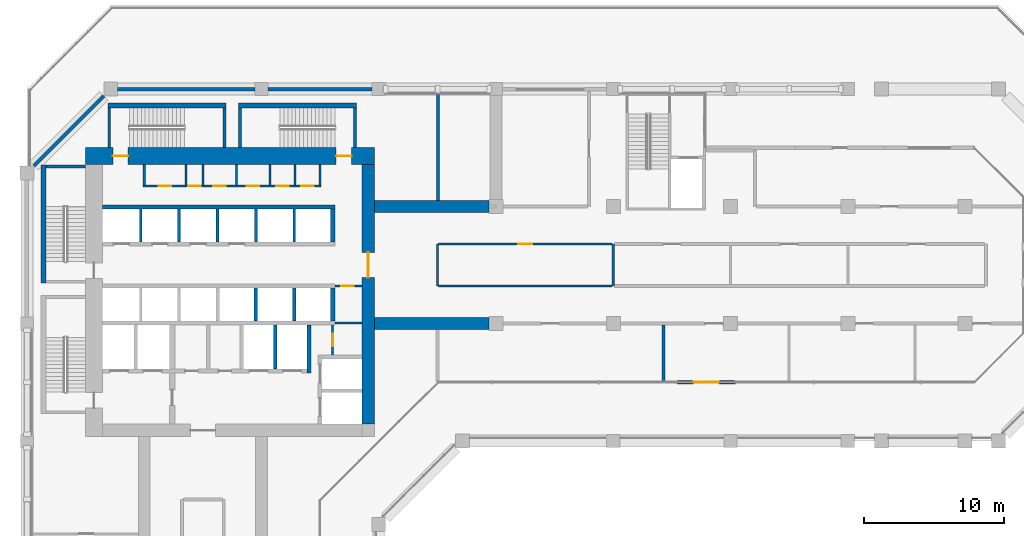
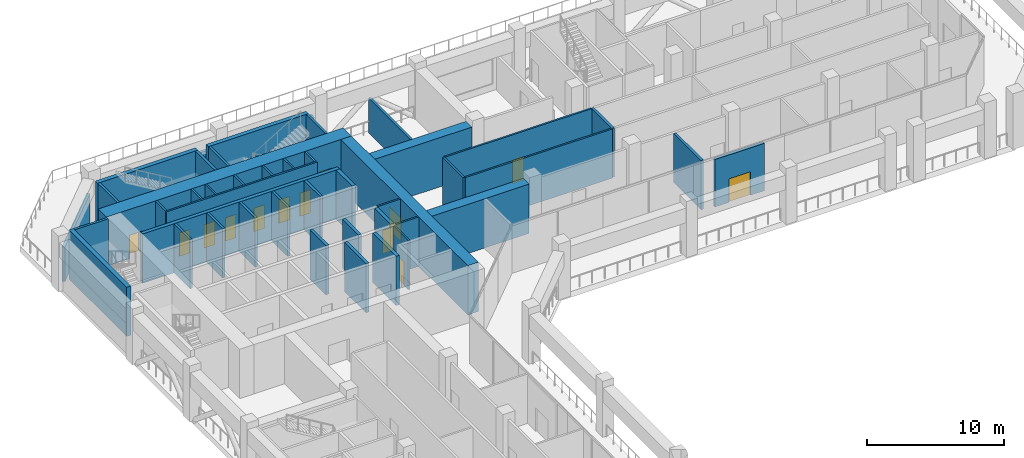
# One storey, part 8 of 19: 45 walls, 13 doors, 13 openings.
"""IFC4 building model written with IfcOpenShell, lengths in metres."""

from ifc_helpers import new_model, si_unit, direction, frame, frame_2d, origin, place, context, subcontext, project, spatial, rectangle, extrude, material, layer, layer_set, type_object, element, fill, save


model = new_model("IFC4")

# Units and contexts
model_context = context("Model", 3, precision=1e-05, world=origin(), true_north=direction((0.0, 1.0)))
body_context = subcontext(model_context, "Body", "Model", "MODEL_VIEW")
ifc_project = project(units=[si_unit("LENGTHUNIT", "METRE"), si_unit("AREAUNIT", "SQUARE_METRE"), si_unit("VOLUMEUNIT", "CUBIC_METRE"), si_unit("PLANEANGLEUNIT", "RADIAN"), si_unit("MASSUNIT", "GRAM", prefix="KILO")], contexts=[model_context])

# Site, building, storey
site_placement = place(None, origin())
site = spatial("IfcSite", under=ifc_project, at=site_placement, CompositionType="ELEMENT")
building_placement = place(site_placement, origin())
building = spatial("IfcBuilding", under=site, at=building_placement, Name="Kawkab Arch Medical Tower", CompositionType="ELEMENT")
storey_placement = place(building_placement, frame((0.0, 0.0, 153.39990234375)))
storey = spatial("IfcBuildingStorey", under=building, at=storey_placement, Name="L35", CompositionType="ELEMENT", Elevation=153.39990234375)

# Walls
ifc_material_1 = material(Name="Concrete C50/60", Category="concrete")
ifc_layer_1 = layer(ifc_material_1, 0.85009765625)
ifc_layer_set_1 = layer_set([ifc_layer_1], Name="Concrete C50/60")
wall_type_1 = type_object("IfcWallType", Name="Belt wall 850 C50/60", PredefinedType="SHEAR", material=ifc_layer_set_1)
for number, where, z_axis, x_axis, name in (
    (1, (24.89990234375, -8.39990234375, 0.0), (0.0, 0.0, 1.0), (1.0, 0.0, 0.0), "Belt wall BW-L35-1"),
    (2, (24.89990234375, -16.800048828125, 0.0), (0.0, 0.0, 1.0), (1.0, 0.0, 0.0), "Belt wall BW-L35-2"),
):
    element("IfcWall", number, at=place(storey_placement, frame(where, z_axis=z_axis, x_axis=x_axis)), inside=storey, type_object=wall_type_1, Name=name, PredefinedType="SHEAR", context=body_context, shape_type="SweptSolid", body=[
        extrude(rectangle(XDim=8.2001953125, YDim=0.85009765625, at=frame_2d((4.10009765625, 0.0))), origin(), (0.0, 0.0, 1.0), 4.400146484375),
    ])

# Wall, openings, doors
ifc_material_2 = material(Name="Concrete C55/67", Category="concrete")
ifc_layer_2 = layer(ifc_material_2, 1.199951171875)
ifc_layer_set_2 = layer_set([ifc_layer_2], Name="Concrete C55/67")
wall_type_2 = type_object("IfcWallType", Name="Core ring wall 1200 C55/67", PredefinedType="SHEAR", material=ifc_layer_set_2)
wall_1_placement = place(storey_placement, frame((4.199951171875, -4.800048828125, 0.0), z_axis=(0.0, 0.0, 1.0), x_axis=(1.0, 0.0, 0.0)))
wall_1 = element("IfcWall", 3, at=wall_1_placement, inside=storey, type_object=wall_type_2, Name="L35 core wall", PredefinedType="SHEAR", context=body_context, shape_type="SweptSolid", body=[
    extrude(rectangle(XDim=20.699951171875, YDim=1.199951171875, at=frame_2d((10.35009765625, 0.0))), origin(), (0.0, 0.0, 1.0), 4.400146484375),
])
opening_1_placement = place(wall_1_placement, frame((1.949951171875, 0.0, 0.0)))
opening_1 = element("IfcOpeningElement", 4, at=opening_1_placement, cuts=wall_1, Name="Opening SD", PredefinedType="OPENING", context=body_context, shape_type="SweptSolid", body=[
    extrude(rectangle(XDim=1.10009765625, YDim=2.10009765625, at=frame_2d((0.550048828125, 1.050048828125))), frame((0.0, 0.60986328125, 0.0), z_axis=(0.0, -1.0, 0.0), x_axis=(1.0, 0.0, 0.0)), (0.0, 0.0, 1.0), 1.219970703125),
])
opening_2_placement = place(wall_1_placement, frame((17.949951171875, 0.0, 0.0)))
opening_2 = element("IfcOpeningElement", 5, at=opening_2_placement, cuts=wall_1, Name="Opening SD", PredefinedType="OPENING", context=body_context, shape_type="SweptSolid", body=[
    extrude(rectangle(XDim=1.10009765625, YDim=2.10009765625, at=frame_2d((0.550048828125, 1.050048828125))), frame((0.0, 0.60986328125, 0.0), z_axis=(0.0, -1.0, 0.0), x_axis=(1.0, 0.0, 0.0)), (0.0, 0.0, 1.0), 1.219970703125),
])
ifc_material_3 = material(Name="Hollow metal fire door leaf")
door_type_1 = type_object("IfcDoorType", Name="Exit stair door 1100", OperationType="SINGLE_SWING_LEFT", PredefinedType="DOOR", material=ifc_material_3)
door_1_placement = place(opening_1_placement, origin())
door_1 = element("IfcDoor", 6, at=door_1_placement, inside=storey, type_object=door_type_1, Name="L35 Exit stair ST3 door", OperationType="SINGLE_SWING_LEFT", OverallHeight=2.10009765625, OverallWidth=1.10009765625, PredefinedType="DOOR", context=body_context, shape_type="SweptSolid", body=[
    extrude(rectangle(XDim=1.10009765625, YDim=2.10009765625, at=frame_2d((0.550048828125, 1.050048828125))), frame((0.0, 0.02490234375, 0.0), z_axis=(0.0, -1.0, 0.0), x_axis=(1.0, 0.0, 0.0)), (0.0, 0.0, 1.0), 0.050048828125),
])
fill(opening_1, door_1)
door_2_placement = place(opening_2_placement, origin())
door_2 = element("IfcDoor", 7, at=door_2_placement, inside=storey, type_object=door_type_1, Name="L35 Exit stair ST4 door", OperationType="SINGLE_SWING_LEFT", OverallHeight=2.10009765625, OverallWidth=1.10009765625, PredefinedType="DOOR", context=body_context, shape_type="SweptSolid", body=[
    extrude(rectangle(XDim=1.10009765625, YDim=2.10009765625, at=frame_2d((0.550048828125, 1.050048828125))), frame((0.0, 0.02490234375, 0.0), z_axis=(0.0, -1.0, 0.0), x_axis=(1.0, 0.0, 0.0)), (0.0, 0.0, 1.0), 0.050048828125),
])
fill(opening_2, door_2)

# Wall, opening, door
ifc_material_4 = material(Name="Concrete C55/67", Category="concrete")
ifc_layer_3 = layer(ifc_material_4, 0.89990234375)
ifc_layer_set_3 = layer_set([ifc_layer_3], Name="Concrete C55/67")
wall_type_3 = type_object("IfcWallType", Name="Core ring wall 900 C55/67", PredefinedType="SHEAR", material=ifc_layer_set_3)
wall_2_placement = place(storey_placement, frame((24.449951171875, -24.0, 0.0), z_axis=(0.0, 0.0, 1.0), x_axis=(0.0, 1.0, 0.0)))
wall_2 = element("IfcWall", 8, at=wall_2_placement, inside=storey, type_object=wall_type_3, Name="L35 core wall", PredefinedType="SHEAR", context=body_context, shape_type="SweptSolid", body=[
    extrude(rectangle(XDim=18.60009765625, YDim=0.89990234375, at=frame_2d((9.300048828125, 0.0))), origin(), (0.0, 0.0, 1.0), 4.400146484375),
])
opening_3_placement = place(wall_2_placement, frame((10.5, 0.0, 0.0)))
opening_3 = element("IfcOpeningElement", 9, at=opening_3_placement, cuts=wall_2, Name="Opening PD", PredefinedType="OPENING", context=body_context, shape_type="SweptSolid", body=[
    extrude(rectangle(XDim=1.800048828125, YDim=2.10009765625, at=frame_2d((0.89990234375, 1.050048828125))), frame((0.0, 0.4599609375, 0.0), z_axis=(0.0, -1.0, 0.0), x_axis=(1.0, 0.0, 0.0)), (0.0, 0.0, 1.0), 0.919921875),
])
ifc_material_5 = material(Name="Hollow metal fire door leaf")
door_type_2 = type_object("IfcDoorType", Name="Core entrance doors 1800", OperationType="DOUBLE_DOOR_SINGLE_SWING", PredefinedType="DOOR", material=ifc_material_5)
door_3_placement = place(opening_3_placement, origin())
door_3 = element("IfcDoor", 10, at=door_3_placement, inside=storey, type_object=door_type_2, Name="L35 East entrance doors", OperationType="DOUBLE_DOOR_SINGLE_SWING", OverallHeight=2.10009765625, OverallWidth=1.800048828125, PredefinedType="DOOR", context=body_context, shape_type="SweptSolid", body=[
    extrude(rectangle(XDim=1.800048828125, YDim=2.10009765625, at=frame_2d((0.89990234375, 1.050048828125))), frame((0.0, 0.02490234375, 0.0), z_axis=(0.0, -1.0, 0.0), x_axis=(1.0, 0.0, 0.0)), (0.0, 0.0, 1.0), 0.050048828125),
])
fill(opening_3, door_3)

ifc_material_6 = material(Name="Gypsum board on steel studs", Category="steel")
ifc_layer_4 = layer(ifc_material_6, 0.14990234375)
ifc_layer_set_4 = layer_set([ifc_layer_4], Name="Gypsum board on steel studs")
wall_type_4 = type_object("IfcWallType", Name="Core room partition 150", PredefinedType="PARTITIONING", material=ifc_layer_set_4)
wall_3_placement = place(storey_placement, frame((21.89990234375, -19.050048828125, 0.0), z_axis=(0.0, 0.0, 1.0), x_axis=(0.0, 1.0, 0.0)))
wall_3 = element("IfcWall", 11, at=wall_3_placement, inside=storey, type_object=wall_type_4, Name="L35 core room partition", PredefinedType="PARTITIONING", context=body_context, shape_type="SweptSolid", body=[
    extrude(rectangle(XDim=2.150146484375, YDim=0.14990234375, at=frame_2d((1.0751953125, 0.0))), origin(), (0.0, 0.0, 1.0), 4.400146484375),
])
opening_4_placement = place(wall_3_placement, frame((0.625, 0.0, 0.0)))
opening_4 = element("IfcOpeningElement", 12, at=opening_4_placement, cuts=wall_3, Name="Opening RD", PredefinedType="OPENING", context=body_context, shape_type="SweptSolid", body=[
    extrude(rectangle(XDim=0.89990234375, YDim=2.10009765625, at=frame_2d((0.449951171875, 1.050048828125))), frame((0.0, 0.0849609375, 0.0), z_axis=(0.0, -1.0, 0.0), x_axis=(1.0, 0.0, 0.0)), (0.0, 0.0, 1.0), 0.169921875),
])
ifc_material_7 = material(Name="Hollow metal fire door leaf")
door_type_3 = type_object("IfcDoorType", Name="Core room door 900", OperationType="SINGLE_SWING_LEFT", PredefinedType="DOOR", material=ifc_material_7)
door_4_placement = place(opening_4_placement, origin())
door_4 = element("IfcDoor", 13, at=door_4_placement, inside=storey, type_object=door_type_3, Name="L35 Accessible WC door", OperationType="SINGLE_SWING_LEFT", OverallHeight=2.10009765625, OverallWidth=0.89990234375, PredefinedType="DOOR", context=body_context, shape_type="SweptSolid", body=[
    extrude(rectangle(XDim=0.89990234375, YDim=2.10009765625, at=frame_2d((0.449951171875, 1.050048828125))), frame((0.0, 0.02490234375, 0.0), z_axis=(0.0, -1.0, 0.0), x_axis=(1.0, 0.0, 0.0)), (0.0, 0.0, 1.0), 0.050048828125),
])
fill(opening_4, door_4)

# Wall
wall_4_placement = place(storey_placement, frame((22.050048828125, -16.75, 0.0), z_axis=(0.0, 0.0, 1.0), x_axis=(1.0, 0.0, 0.0)))
element("IfcWall", 14, at=wall_4_placement, inside=storey, type_object=wall_type_4, Name="L35 core room partition", PredefinedType="PARTITIONING", context=body_context, shape_type="SweptSolid", body=[
    extrude(rectangle(XDim=1.949951171875, YDim=0.14990234375, at=frame_2d((0.97509765625, 0.0))), origin(), (0.0, 0.0, 1.0), 4.400146484375),
])

# Wall, opening, door
wall_5_placement = place(storey_placement, frame((22.050048828125, -14.10009765625, 0.0), z_axis=(0.0, 0.0, 1.0), x_axis=(1.0, 0.0, 0.0)))
wall_5 = element("IfcWall", 15, at=wall_5_placement, inside=storey, type_object=wall_type_4, Name="L35 core room partition", PredefinedType="PARTITIONING", context=body_context, shape_type="SweptSolid", body=[
    extrude(rectangle(XDim=1.949951171875, YDim=0.14990234375, at=frame_2d((0.97509765625, 0.0))), origin(), (0.0, 0.0, 1.0), 4.400146484375),
])
opening_5_placement = place(wall_5_placement, frame((0.449951171875, 0.0, 0.0)))
opening_5 = element("IfcOpeningElement", 16, at=opening_5_placement, cuts=wall_5, Name="Opening RD", PredefinedType="OPENING", context=body_context, shape_type="SweptSolid", body=[
    extrude(rectangle(XDim=0.89990234375, YDim=2.10009765625, at=frame_2d((0.449951171875, 1.050048828125))), frame((0.0, 0.0849609375, 0.0), z_axis=(0.0, -1.0, 0.0), x_axis=(1.0, 0.0, 0.0)), (0.0, 0.0, 1.0), 0.169921875),
])
door_5_placement = place(opening_5_placement, origin())
door_5 = element("IfcDoor", 17, at=door_5_placement, inside=storey, type_object=door_type_3, Name="L35 Equipment store door", OperationType="SINGLE_SWING_LEFT", OverallHeight=2.10009765625, OverallWidth=0.89990234375, PredefinedType="DOOR", context=body_context, shape_type="SweptSolid", body=[
    extrude(rectangle(XDim=0.89990234375, YDim=2.10009765625, at=frame_2d((0.449951171875, 1.050048828125))), frame((0.0, 0.02490234375, 0.0), z_axis=(0.0, -1.0, 0.0), x_axis=(1.0, 0.0, 0.0)), (0.0, 0.0, 1.0), 0.050048828125),
])
fill(opening_5, door_5)

# Wall, openings, doors
wall_6_placement = place(storey_placement, frame((8.324951171875, -6.949951171875, 0.0), z_axis=(0.0, 0.0, 1.0), x_axis=(1.0, 0.0, 0.0)))
wall_6 = element("IfcWall", 18, at=wall_6_placement, inside=storey, type_object=wall_type_4, Name="L35 core room partition", PredefinedType="PARTITIONING", context=body_context, shape_type="SweptSolid", body=[
    extrude(rectangle(XDim=12.75, YDim=0.14990234375, at=frame_2d((6.375, 0.0))), origin(), (0.0, 0.0, 1.0), 4.400146484375),
])
opening_6_placement = place(wall_6_placement, frame((1.125, 0.0, 0.0)))
opening_6 = element("IfcOpeningElement", 19, at=opening_6_placement, cuts=wall_6, Name="Opening RD", PredefinedType="OPENING", context=body_context, shape_type="SweptSolid", body=[
    extrude(rectangle(XDim=0.89990234375, YDim=2.10009765625, at=frame_2d((0.449951171875, 1.050048828125))), frame((0.0, 0.0849609375, 0.0), z_axis=(0.0, -1.0, 0.0), x_axis=(1.0, 0.0, 0.0)), (0.0, 0.0, 1.0), 0.169921875),
])
opening_7_placement = place(wall_6_placement, frame((3.22509765625, 0.0, 0.0)))
opening_7 = element("IfcOpeningElement", 20, at=opening_7_placement, cuts=wall_6, Name="Opening RD", PredefinedType="OPENING", context=body_context, shape_type="SweptSolid", body=[
    extrude(rectangle(XDim=0.89990234375, YDim=2.10009765625, at=frame_2d((0.449951171875, 1.050048828125))), frame((0.0, 0.0849609375, 0.0), z_axis=(0.0, -1.0, 0.0), x_axis=(1.0, 0.0, 0.0)), (0.0, 0.0, 1.0), 0.169921875),
])
opening_8_placement = place(wall_6_placement, frame((5.02490234375, 0.0, 0.0)))
opening_8 = element("IfcOpeningElement", 21, at=opening_8_placement, cuts=wall_6, Name="Opening RD", PredefinedType="OPENING", context=body_context, shape_type="SweptSolid", body=[
    extrude(rectangle(XDim=0.89990234375, YDim=2.10009765625, at=frame_2d((0.449951171875, 1.050048828125))), frame((0.0, 0.0849609375, 0.0), z_axis=(0.0, -1.0, 0.0), x_axis=(1.0, 0.0, 0.0)), (0.0, 0.0, 1.0), 0.169921875),
])
opening_9_placement = place(wall_6_placement, frame((7.425048828125, 0.0, 0.0)))
opening_9 = element("IfcOpeningElement", 22, at=opening_9_placement, cuts=wall_6, Name="Opening RD", PredefinedType="OPENING", context=body_context, shape_type="SweptSolid", body=[
    extrude(rectangle(XDim=0.89990234375, YDim=2.10009765625, at=frame_2d((0.449951171875, 1.050048828125))), frame((0.0, 0.0849609375, 0.0), z_axis=(0.0, -1.0, 0.0), x_axis=(1.0, 0.0, 0.0)), (0.0, 0.0, 1.0), 0.169921875),
])
opening_10_placement = place(wall_6_placement, frame((9.52490234375, 0.0, 0.0)))
opening_10 = element("IfcOpeningElement", 23, at=opening_10_placement, cuts=wall_6, Name="Opening RD", PredefinedType="OPENING", context=body_context, shape_type="SweptSolid", body=[
    extrude(rectangle(XDim=0.89990234375, YDim=2.10009765625, at=frame_2d((0.449951171875, 1.050048828125))), frame((0.0, 0.0849609375, 0.0), z_axis=(0.0, -1.0, 0.0), x_axis=(1.0, 0.0, 0.0)), (0.0, 0.0, 1.0), 0.169921875),
])
opening_11_placement = place(wall_6_placement, frame((11.324951171875, 0.0, 0.0)))
opening_11 = element("IfcOpeningElement", 24, at=opening_11_placement, cuts=wall_6, Name="Opening RD", PredefinedType="OPENING", context=body_context, shape_type="SweptSolid", body=[
    extrude(rectangle(XDim=0.89990234375, YDim=2.10009765625, at=frame_2d((0.449951171875, 1.050048828125))), frame((0.0, 0.0849609375, 0.0), z_axis=(0.0, -1.0, 0.0), x_axis=(1.0, 0.0, 0.0)), (0.0, 0.0, 1.0), 0.169921875),
])
door_6_placement = place(opening_6_placement, origin())
door_6 = element("IfcDoor", 25, at=door_6_placement, inside=storey, type_object=door_type_3, Name="L35 General store door", OperationType="SINGLE_SWING_LEFT", OverallHeight=2.10009765625, OverallWidth=0.89990234375, PredefinedType="DOOR", context=body_context, shape_type="SweptSolid", body=[
    extrude(rectangle(XDim=0.89990234375, YDim=2.10009765625, at=frame_2d((0.449951171875, 1.050048828125))), frame((0.0, 0.02490234375, 0.0), z_axis=(0.0, -1.0, 0.0), x_axis=(1.0, 0.0, 0.0)), (0.0, 0.0, 1.0), 0.050048828125),
])
fill(opening_6, door_6)
door_7_placement = place(opening_7_placement, origin())
door_7 = element("IfcDoor", 26, at=door_7_placement, inside=storey, type_object=door_type_3, Name="L35 Electrical riser room door", OperationType="SINGLE_SWING_LEFT", OverallHeight=2.10009765625, OverallWidth=0.89990234375, PredefinedType="DOOR", context=body_context, shape_type="SweptSolid", body=[
    extrude(rectangle(XDim=0.89990234375, YDim=2.10009765625, at=frame_2d((0.449951171875, 1.050048828125))), frame((0.0, 0.02490234375, 0.0), z_axis=(0.0, -1.0, 0.0), x_axis=(1.0, 0.0, 0.0)), (0.0, 0.0, 1.0), 0.050048828125),
])
fill(opening_7, door_7)
door_8_placement = place(opening_8_placement, origin())
door_8 = element("IfcDoor", 27, at=door_8_placement, inside=storey, type_object=door_type_3, Name="L35 Housekeeping store door", OperationType="SINGLE_SWING_LEFT", OverallHeight=2.10009765625, OverallWidth=0.89990234375, PredefinedType="DOOR", context=body_context, shape_type="SweptSolid", body=[
    extrude(rectangle(XDim=0.89990234375, YDim=2.10009765625, at=frame_2d((0.449951171875, 1.050048828125))), frame((0.0, 0.02490234375, 0.0), z_axis=(0.0, -1.0, 0.0), x_axis=(1.0, 0.0, 0.0)), (0.0, 0.0, 1.0), 0.050048828125),
])
fill(opening_8, door_8)
door_9_placement = place(opening_9_placement, origin())
door_9 = element("IfcDoor", 28, at=door_9_placement, inside=storey, type_object=door_type_3, Name="L35 UPS room door", OperationType="SINGLE_SWING_LEFT", OverallHeight=2.10009765625, OverallWidth=0.89990234375, PredefinedType="DOOR", context=body_context, shape_type="SweptSolid", body=[
    extrude(rectangle(XDim=0.89990234375, YDim=2.10009765625, at=frame_2d((0.449951171875, 1.050048828125))), frame((0.0, 0.02490234375, 0.0), z_axis=(0.0, -1.0, 0.0), x_axis=(1.0, 0.0, 0.0)), (0.0, 0.0, 1.0), 0.050048828125),
])
fill(opening_9, door_9)
door_10_placement = place(opening_10_placement, origin())
door_10 = element("IfcDoor", 29, at=door_10_placement, inside=storey, type_object=door_type_3, Name="L35 Comms room door", OperationType="SINGLE_SWING_LEFT", OverallHeight=2.10009765625, OverallWidth=0.89990234375, PredefinedType="DOOR", context=body_context, shape_type="SweptSolid", body=[
    extrude(rectangle(XDim=0.89990234375, YDim=2.10009765625, at=frame_2d((0.449951171875, 1.050048828125))), frame((0.0, 0.02490234375, 0.0), z_axis=(0.0, -1.0, 0.0), x_axis=(1.0, 0.0, 0.0)), (0.0, 0.0, 1.0), 0.050048828125),
])
fill(opening_10, door_10)
door_11_placement = place(opening_11_placement, origin())
door_11 = element("IfcDoor", 30, at=door_11_placement, inside=storey, type_object=door_type_3, Name="L35 Electrical riser room door", OperationType="SINGLE_SWING_LEFT", OverallHeight=2.10009765625, OverallWidth=0.89990234375, PredefinedType="DOOR", context=body_context, shape_type="SweptSolid", body=[
    extrude(rectangle(XDim=0.89990234375, YDim=2.10009765625, at=frame_2d((0.449951171875, 1.050048828125))), frame((0.0, 0.02490234375, 0.0), z_axis=(0.0, -1.0, 0.0), x_axis=(1.0, 0.0, 0.0)), (0.0, 0.0, 1.0), 0.050048828125),
])
fill(opening_11, door_11)

# Walls
for number, where, z_axis, x_axis, name in (
    (31, (8.39990234375, -6.875, 0.0), (0.0, 0.0, 1.0), (0.0, 1.0, 0.0), "L35 core room partition"),
    (32, (11.39990234375, -6.875, 0.0), (0.0, 0.0, 1.0), (0.0, 1.0, 0.0), "L35 core room partition"),
    (33, (12.60009765625, -6.875, 0.0), (0.0, 0.0, 1.0), (0.0, 1.0, 0.0), "L35 core room partition"),
    (34, (15.0, -6.875, 0.0), (0.0, 0.0, 1.0), (0.0, 1.0, 0.0), "L35 core room partition"),
    (35, (17.39990234375, -6.875, 0.0), (0.0, 0.0, 1.0), (0.0, 1.0, 0.0), "L35 core room partition"),
    (36, (19.199951171875, -6.875, 0.0), (0.0, 0.0, 1.0), (0.0, 1.0, 0.0), "L35 core room partition"),
    (37, (21.0, -6.875, 0.0), (0.0, 0.0, 1.0), (0.0, 1.0, 0.0), "L35 core room partition"),
):
    element("IfcWall", number, at=place(storey_placement, frame(where, z_axis=z_axis, x_axis=x_axis)), inside=storey, type_object=wall_type_4, Name=name, PredefinedType="PARTITIONING", context=body_context, shape_type="SweptSolid", body=[
        extrude(rectangle(XDim=1.47509765625, YDim=0.14990234375, at=frame_2d((0.737548828125, 0.0))), origin(), (0.0, 0.0, 1.0), 4.400146484375),
    ])
ifc_material_8 = material(Name="Concrete C60/75", Category="concrete")
ifc_layer_5 = layer(ifc_material_8, 0.25)
ifc_layer_set_5 = layer_set([ifc_layer_5], Name="Concrete C60/75")
wall_type_5 = type_object("IfcWallType", Name="Core shear wall 250 C60/75", PredefinedType="SHEAR", material=ifc_layer_set_5)
wall_7_placement = place(storey_placement, frame((17.800048828125, -20.050048828125, 0.0), z_axis=(0.0, 0.0, 1.0), x_axis=(0.0, 1.0, 0.0)))
element("IfcWall", 38, at=wall_7_placement, inside=storey, type_object=wall_type_5, Name="L35 core shear wall", PredefinedType="SHEAR", context=body_context, shape_type="SweptSolid", body=[
    extrude(rectangle(XDim=3.150146484375, YDim=0.25, at=frame_2d((1.5751953125, 0.0))), origin(), (0.0, 0.0, 1.0), 4.400146484375),
])
for number, where, z_axis, x_axis, name in (
    (39, (16.39990234375, -16.60009765625, 0.0), (0.0, 0.0, 1.0), (0.0, 1.0, 0.0), "L35 core shear wall"),
    (40, (19.14990234375, -16.60009765625, 0.0), (0.0, 0.0, 1.0), (0.0, 1.0, 0.0), "L35 core shear wall"),
):
    element("IfcWall", number, at=place(storey_placement, frame(where, z_axis=z_axis, x_axis=x_axis)), inside=storey, type_object=wall_type_5, Name=name, PredefinedType="SHEAR", context=body_context, shape_type="SweptSolid", body=[
        extrude(rectangle(XDim=2.35009765625, YDim=0.25, at=frame_2d((1.175048828125, 0.0))), origin(), (0.0, 0.0, 1.0), 4.400146484375),
    ])
ifc_material_9 = material(Name="Concrete C60/75", Category="concrete")
ifc_layer_6 = layer(ifc_material_9, 0.300048828125)
ifc_layer_set_6 = layer_set([ifc_layer_6], Name="Concrete C60/75")
wall_type_6 = type_object("IfcWallType", Name="Core shear wall 300 C60/75", PredefinedType="SHEAR", material=ifc_layer_set_6)
wall_8_placement = place(storey_placement, frame((5.39990234375, -8.449951171875, 0.0), z_axis=(0.0, 0.0, 1.0), x_axis=(1.0, 0.0, 0.0)))
element("IfcWall", 41, at=wall_8_placement, inside=storey, type_object=wall_type_6, Name="L35 core shear wall", PredefinedType="SHEAR", context=body_context, shape_type="SweptSolid", body=[
    extrude(rectangle(XDim=16.650146484375, YDim=0.300048828125, at=frame_2d((8.3251953125, 0.0))), origin(), (0.0, 0.0, 1.0), 4.400146484375),
])
wall_9_placement = place(storey_placement, frame((20.199951171875, -20.35009765625, 0.0), z_axis=(0.0, 0.0, 1.0), x_axis=(0.0, 1.0, 0.0)))
element("IfcWall", 42, at=wall_9_placement, inside=storey, type_object=wall_type_6, Name="L35 core shear wall", PredefinedType="SHEAR", context=body_context, shape_type="SweptSolid", body=[
    extrude(rectangle(XDim=3.4501953125, YDim=0.300048828125, at=frame_2d((1.72509765625, 0.0))), origin(), (0.0, 0.0, 1.0), 4.400146484375),
])
wall_10_placement = place(storey_placement, frame((21.89990234375, -10.949951171875, 0.0), z_axis=(0.0, 0.0, 1.0), x_axis=(0.0, 1.0, 0.0)))
element("IfcWall", 43, at=wall_10_placement, inside=storey, type_object=wall_type_6, Name="L35 core shear wall", PredefinedType="SHEAR", context=body_context, shape_type="SweptSolid", body=[
    extrude(rectangle(XDim=2.349853515625, YDim=0.300048828125, at=frame_2d((1.1748046875, 0.0))), origin(), (0.0, 0.0, 1.0), 4.400146484375),
])
wall_11_placement = place(storey_placement, frame((21.89990234375, -16.60009765625, 0.0), z_axis=(0.0, 0.0, 1.0), x_axis=(0.0, 1.0, 0.0)))
element("IfcWall", 44, at=wall_11_placement, inside=storey, type_object=wall_type_6, Name="L35 core shear wall", PredefinedType="SHEAR", context=body_context, shape_type="SweptSolid", body=[
    extrude(rectangle(XDim=2.35009765625, YDim=0.300048828125, at=frame_2d((1.175048828125, 0.0))), origin(), (0.0, 0.0, 1.0), 4.400146484375),
])
ifc_material_10 = material(Name="Bronze clad insulated wall panel")
ifc_layer_7 = layer(ifc_material_10, 0.25)
ifc_layer_set_7 = layer_set([ifc_layer_7], Name="Bronze clad insulated wall panel")
wall_type_7 = type_object("IfcWallType", Name="External wall bay 250", PredefinedType="SOLIDWALL", material=ifc_layer_set_7)
wall_12_placement = place(storey_placement, frame((5.5, -0.5, 0.0), z_axis=(0.0, 0.0, 1.0), x_axis=(-0.707106781187, -0.707106781187, 0.0)))
element("IfcWall", 45, at=wall_12_placement, inside=storey, type_object=wall_type_7, Name="Plant wall L35.R01.1", PredefinedType="SOLIDWALL", context=body_context, shape_type="SweptSolid", body=[
    extrude(rectangle(XDim=7.071044921875, YDim=0.25, at=frame_2d((3.53564453125, 0.0))), origin(), (0.0, 0.0, 1.0), 3.10009765625),
])

# Wall, opening, door
wall_13_placement = place(storey_placement, frame((46.56005859375, -21.0, 0.0), z_axis=(0.0, 0.0, 1.0), x_axis=(1.0, 0.0, 0.0)))
wall_13 = element("IfcWall", 46, at=wall_13_placement, inside=storey, type_object=wall_type_7, Name="External wall bay L35.R11.3.2", PredefinedType="SOLIDWALL", context=body_context, shape_type="SweptSolid", body=[
    extrude(rectangle(XDim=4.199951171875, YDim=0.25, at=frame_2d((2.10009765625, 0.0))), origin(), (0.0, 0.0, 1.0), 4.239990234375),
])
opening_12_placement = place(wall_13_placement, frame((1.199951171875, 0.0, 0.0)))
opening_12 = element("IfcOpeningElement", 47, at=opening_12_placement, cuts=wall_13, Name="Opening PL2A-702", PredefinedType="OPENING", context=body_context, shape_type="SweptSolid", body=[
    extrude(rectangle(XDim=1.800048828125, YDim=2.10009765625, at=frame_2d((0.89990234375, 1.050048828125))), frame((0.0, 0.135009765625, 0.0), z_axis=(0.0, -1.0, 0.0), x_axis=(1.0, 0.0, 0.0)), (0.0, 0.0, 1.0), 0.27001953125),
])
ifc_material_11 = material(Name="Bronze anodised aluminium door with tinted glass", Category="aluminium")
door_type_4 = type_object("IfcDoorType", Name="Double external door 1800 x 2100", OperationType="DOUBLE_DOOR_SINGLE_SWING", PredefinedType="DOOR", material=ifc_material_11)
door_12_placement = place(opening_12_placement, origin())
door_12 = element("IfcDoor", 48, at=door_12_placement, inside=storey, type_object=door_type_4, Name="External door L35.R11.3.2", OperationType="DOUBLE_DOOR_SINGLE_SWING", OverallHeight=2.10009765625, OverallWidth=1.800048828125, PredefinedType="DOOR", context=body_context, shape_type="SweptSolid", body=[
    extrude(rectangle(XDim=1.800048828125, YDim=2.10009765625, at=frame_2d((0.89990234375, 1.050048828125))), frame((0.0, 0.02490234375, 0.0), z_axis=(0.0, -1.0, 0.0), x_axis=(1.0, 0.0, 0.0)), (0.0, 0.0, 1.0), 0.050048828125),
])
fill(opening_12, door_12)

# Walls
wall_14_placement = place(storey_placement, frame((24.72509765625, 0.0, 0.0), z_axis=(0.0, 0.0, 1.0), x_axis=(-1.0, 0.0, 0.0)))
element("IfcWall", 49, at=wall_14_placement, inside=storey, type_object=wall_type_7, Name="Plant wall L35.R18.4", PredefinedType="SOLIDWALL", context=body_context, shape_type="SweptSolid", body=[
    extrude(rectangle(XDim=7.4501953125, YDim=0.25, at=frame_2d((3.72509765625, 0.0))), origin(), (0.0, 0.0, 1.0), 3.10009765625),
])
wall_15_placement = place(storey_placement, frame((16.324951171875, 0.0, 0.0), z_axis=(0.0, 0.0, 1.0), x_axis=(-1.0, 0.0, 0.0)))
element("IfcWall", 50, at=wall_15_placement, inside=storey, type_object=wall_type_7, Name="Plant wall L35.R18.5", PredefinedType="SOLIDWALL", context=body_context, shape_type="SweptSolid", body=[
    extrude(rectangle(XDim=9.824951171875, YDim=0.25, at=frame_2d((4.91259765625, 0.0))), origin(), (0.0, 0.0, 1.0), 3.10009765625),
])
ifc_material_12 = material(Name="Dense concrete blockwork", Category="masonry")
ifc_layer_8 = layer(ifc_material_12, 0.199951171875)
ifc_layer_set_8 = layer_set([ifc_layer_8], Name="Dense concrete blockwork")
wall_type_8 = type_object("IfcWallType", Name="Lift shaft partition 200", PredefinedType="PARTITIONING", material=ifc_layer_set_8)
for number, where, z_axis, x_axis, name in (
    (51, (8.14990234375, -10.949951171875, 0.0), (0.0, 0.0, 1.0), (0.0, 1.0, 0.0), "L35 lift shaft partition"),
    (52, (10.89990234375, -10.949951171875, 0.0), (0.0, 0.0, 1.0), (0.0, 1.0, 0.0), "L35 lift shaft partition"),
    (53, (13.64990234375, -10.949951171875, 0.0), (0.0, 0.0, 1.0), (0.0, 1.0, 0.0), "L35 lift shaft partition"),
    (54, (16.39990234375, -10.949951171875, 0.0), (0.0, 0.0, 1.0), (0.0, 1.0, 0.0), "L35 lift shaft partition"),
    (55, (19.14990234375, -10.949951171875, 0.0), (0.0, 0.0, 1.0), (0.0, 1.0, 0.0), "L35 lift shaft partition"),
):
    element("IfcWall", number, at=place(storey_placement, frame(where, z_axis=z_axis, x_axis=x_axis)), inside=storey, type_object=wall_type_8, Name=name, PredefinedType="PARTITIONING", context=body_context, shape_type="SweptSolid", body=[
        extrude(rectangle(XDim=2.349853515625, YDim=0.199951171875, at=frame_2d((1.1748046875, 0.0))), origin(), (0.0, 0.0, 1.0), 4.400146484375),
    ])
ifc_material_13 = material(Name="Gypsum board partition on steel studs, mineral wool", Category="steel")
ifc_layer_9 = layer(ifc_material_13, 0.14990234375)
ifc_layer_set_9 = layer_set([ifc_layer_9], Name="Gypsum board partition on steel studs, mineral wool")
wall_type_9 = type_object("IfcWallType", Name="Partition 150", PredefinedType="PARTITIONING", material=ifc_layer_set_9)
wall_16_placement = place(storey_placement, frame((29.47509765625, -14.10009765625, 0.0), z_axis=(0.0, 0.0, 1.0), x_axis=(1.0, 0.0, 0.0)))
element("IfcWall", 56, at=wall_16_placement, inside=storey, type_object=wall_type_9, Name="Partition 150 w005", PredefinedType="PARTITIONING", context=body_context, shape_type="SweptSolid", body=[
    extrude(rectangle(XDim=12.4248046875, YDim=0.14990234375, at=frame_2d((6.21240234375, 0.0))), origin(), (0.0, 0.0, 1.0), 4.400146484375),
])

# Wall, opening, door
wall_17_placement = place(storey_placement, frame((29.47802734375, -11.10009765625, 0.0), z_axis=(0.0, 0.0, 1.0), x_axis=(1.0, 0.0, 0.0)))
wall_17 = element("IfcWall", 57, at=wall_17_placement, inside=storey, type_object=wall_type_9, Name="Partition 150 w006", PredefinedType="PARTITIONING", context=body_context, shape_type="SweptSolid", body=[
    extrude(rectangle(XDim=12.421875, YDim=0.14990234375, at=frame_2d((6.2109375, 0.0))), origin(), (0.0, 0.0, 1.0), 4.400146484375),
])
opening_13_placement = place(wall_17_placement, frame((5.722900390625, 0.0, 0.0)))
opening_13 = element("IfcOpeningElement", 58, at=opening_13_placement, cuts=wall_17, Name="Opening PL2A-001", PredefinedType="OPENING", context=body_context, shape_type="SweptSolid", body=[
    extrude(rectangle(XDim=1.0, YDim=2.10009765625, at=frame_2d((0.5, 1.050048828125))), frame((0.0, 0.0849609375, 0.0), z_axis=(0.0, -1.0, 0.0), x_axis=(1.0, 0.0, 0.0)), (0.0, 0.0, 1.0), 0.169921875),
])
ifc_material_14 = material(Name="Hollow metal door leaf")
door_type_5 = type_object("IfcDoorType", Name="Single door 1000x2100 FD30S", OperationType="NOTDEFINED", PredefinedType="DOOR", material=ifc_material_14)
door_13_placement = place(opening_13_placement, origin())
door_13 = element("IfcDoor", 59, at=door_13_placement, inside=storey, type_object=door_type_5, Name="Door PL2A-001", OperationType="SINGLE_SWING_RIGHT", OverallHeight=2.10009765625, OverallWidth=1.0, PredefinedType="DOOR", context=body_context, shape_type="SweptSolid", body=[
    extrude(rectangle(XDim=1.0, YDim=2.10009765625, at=frame_2d((0.5, 1.050048828125))), frame((0.0, 0.02490234375, 0.0), z_axis=(0.0, -1.0, 0.0), x_axis=(1.0, 0.0, 0.0)), (0.0, 0.0, 1.0), 0.050048828125),
])
fill(opening_13, door_13)

# Walls
wall_18_placement = place(storey_placement, frame((29.39990234375, -14.10009765625, 0.0), z_axis=(0.0, 0.0, 1.0), x_axis=(0.0, 1.0, 0.0)))
element("IfcWall", 60, at=wall_18_placement, inside=storey, type_object=wall_type_9, Name="Partition 150 w007", PredefinedType="PARTITIONING", context=body_context, shape_type="SweptSolid", body=[
    extrude(rectangle(XDim=2.9970703125, YDim=0.14990234375, at=frame_2d((1.49853515625, 0.0))), origin(), (0.0, 0.0, 1.0), 4.400146484375),
])
ifc_material_15 = material(Name="Fire-rated gypsum board partition on steel studs", Category="steel")
ifc_layer_10 = layer(ifc_material_15, 0.199951171875)
ifc_layer_set_10 = layer_set([ifc_layer_10], Name="Fire-rated gypsum board partition on steel studs")
wall_type_10 = type_object("IfcWallType", Name="Protected partition 200", PredefinedType="PARTITIONING", material=ifc_layer_set_10)
wall_19_placement = place(storey_placement, frame((29.43994140625, -7.97607421875, 0.0), z_axis=(0.0, 0.0, 1.0), x_axis=(0.0, 1.0, 0.0)))
element("IfcWall", 61, at=wall_19_placement, inside=storey, type_object=wall_type_10, Name="Protected partition 200 w028", PredefinedType="PARTITIONING", context=body_context, shape_type="SweptSolid", body=[
    extrude(rectangle(XDim=7.776123046875, YDim=0.199951171875, at=frame_2d((3.88818359375, 0.0))), origin(), (0.0, 0.0, 1.0), 3.10009765625),
])
wall_20_placement = place(storey_placement, frame((42.0, -14.10009765625, 0.0), z_axis=(0.0, 0.0, 1.0), x_axis=(0.0, 1.0, 0.0)))
element("IfcWall", 62, at=wall_20_placement, inside=storey, type_object=wall_type_10, Name="Protected partition 200 w030", PredefinedType="PARTITIONING", context=body_context, shape_type="SweptSolid", body=[
    extrude(rectangle(XDim=3.0, YDim=0.199951171875, at=frame_2d((1.5, 0.0))), origin(), (0.0, 0.0, 1.0), 4.400146484375),
])
wall_21_placement = place(storey_placement, frame((45.60009765625, -20.919921875, 0.0), z_axis=(0.0, 0.0, 1.0), x_axis=(0.0, 1.0, 0.0)))
element("IfcWall", 63, at=wall_21_placement, inside=storey, type_object=wall_type_10, Name="Protected partition 200 w031", PredefinedType="PARTITIONING", context=body_context, shape_type="SweptSolid", body=[
    extrude(rectangle(XDim=4.02001953125, YDim=0.199951171875, at=frame_2d((2.010009765625, 0.0))), origin(), (0.0, 0.0, 1.0), 4.400146484375),
])
ifc_material_16 = material(Name="Concrete C50/60", Category="concrete")
ifc_layer_11 = layer(ifc_material_16, 0.199951171875)
ifc_layer_set_11 = layer_set([ifc_layer_11], Name="Concrete C50/60")
wall_type_11 = type_object("IfcWallType", Name="Stair enclosure wall 200 C50/60", PredefinedType="SHEAR", material=ifc_layer_set_11)
for number, where, z_axis, x_axis, name in (
    (64, (1.35009765625, -5.550048828125, 0.0), (0.0, 0.0, 1.0), (1.0, 0.0, 0.0), "L35 stair enclosure wall"),
    (65, (5.89990234375, -4.199951171875, 0.0), (0.0, 0.0, 1.0), (0.0, 1.0, 0.0), "L35 stair enclosure wall"),
    (66, (14.14990234375, -4.199951171875, 0.0), (0.0, 0.0, 1.0), (0.0, 1.0, 0.0), "L35 stair enclosure wall"),
    (67, (15.25, -4.199951171875, 0.0), (0.0, 0.0, 1.0), (0.0, 1.0, 0.0), "L35 stair enclosure wall"),
    (68, (23.5, -4.199951171875, 0.0), (0.0, 0.0, 1.0), (0.0, 1.0, 0.0), "L35 stair enclosure wall"),
):
    element("IfcWall", number, at=place(storey_placement, frame(where, z_axis=z_axis, x_axis=x_axis)), inside=storey, type_object=wall_type_11, Name=name, PredefinedType="SHEAR", context=body_context, shape_type="SweptSolid", body=[
        extrude(rectangle(XDim=2.849853515625, YDim=0.199951171875, at=frame_2d((1.4248046875, 0.0))), origin(), (0.0, 0.0, 1.0), 4.400146484375),
    ])
ifc_material_17 = material(Name="Concrete C50/60", Category="concrete")
ifc_layer_12 = layer(ifc_material_17, 0.35009765625)
ifc_layer_set_12 = layer_set([ifc_layer_12], Name="Concrete C50/60")
wall_type_12 = type_object("IfcWallType", Name="Stair enclosure wall 350 C50/60", PredefinedType="SHEAR", material=ifc_layer_set_12)
for number, where, z_axis, x_axis, name in (
    (69, (1.175048828125, -13.89990234375, 0.0), (0.0, 0.0, 1.0), (0.0, 1.0, 0.0), "L35 stair enclosure wall"),
    (70, (5.800048828125, -1.175048828125, 0.0), (0.0, 0.0, 1.0), (1.0, 0.0, 0.0), "L35 stair enclosure wall"),
):
    element("IfcWall", number, at=place(storey_placement, frame(where, z_axis=z_axis, x_axis=x_axis)), inside=storey, type_object=wall_type_12, Name=name, PredefinedType="SHEAR", context=body_context, shape_type="SweptSolid", body=[
        extrude(rectangle(XDim=8.449951171875, YDim=0.35009765625, at=frame_2d((4.22509765625, 0.0))), origin(), (0.0, 0.0, 1.0), 4.400146484375),
    ])
wall_22_placement = place(storey_placement, frame((15.14990234375, -1.175048828125, 0.0), z_axis=(0.0, 0.0, 1.0), x_axis=(1.0, 0.0, 0.0)))
element("IfcWall", 71, at=wall_22_placement, inside=storey, type_object=wall_type_12, Name="L35 stair enclosure wall", PredefinedType="SHEAR", context=body_context, shape_type="SweptSolid", body=[
    extrude(rectangle(XDim=8.4501953125, YDim=0.35009765625, at=frame_2d((4.22509765625, 0.0))), origin(), (0.0, 0.0, 1.0), 4.400146484375),
])

save(model, "model.ifc")
